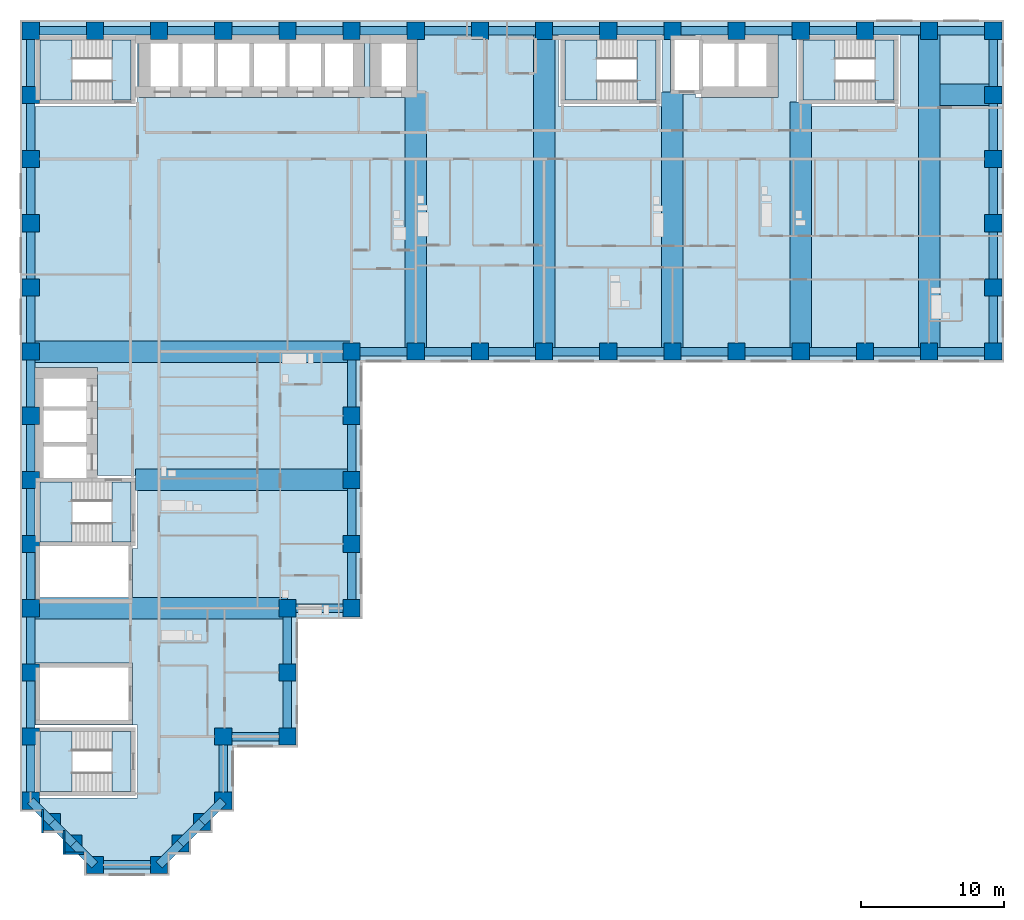
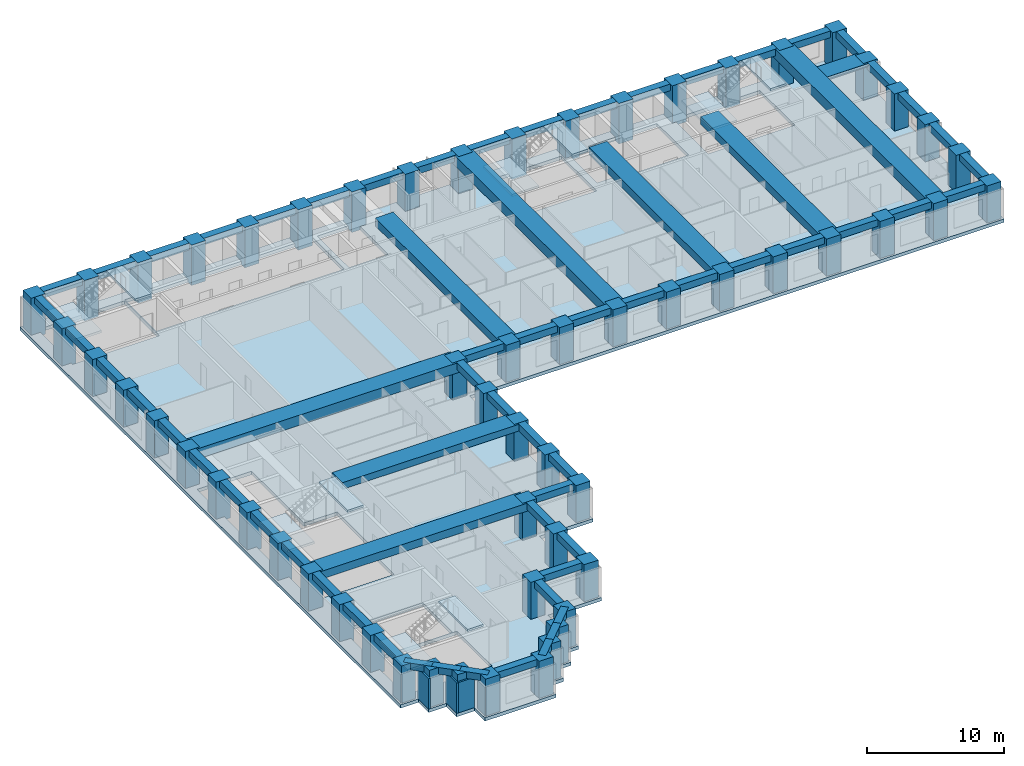
# One storey, part 1 of 12: 67 beams, 58 columns, 11 slabs, 3 walls, 5 elements without a shape of their own.
"""IFC4 building model written with IfcOpenShell, lengths in metres."""

from ifc_helpers import new_model, si_unit, direction, frame, frame_2d, origin, origin_2d, place, context, subcontext, project, spatial, polyline, rectangle, outline, extrude, material, layer, layer_set, material_profile, profile_set, type_object, element, aggregate, save


model = new_model("IFC4")

# Units and contexts
model_context = context("Model", 3, precision=1e-05, world=origin(), true_north=direction((0.0, 1.0)))
body_context = subcontext(model_context, "Body", "Model", "MODEL_VIEW")
ifc_project = project(units=[si_unit("LENGTHUNIT", "METRE"), si_unit("AREAUNIT", "SQUARE_METRE"), si_unit("VOLUMEUNIT", "CUBIC_METRE"), si_unit("PLANEANGLEUNIT", "RADIAN"), si_unit("MASSUNIT", "GRAM", prefix="KILO")], contexts=[model_context])

# Site, building, storey
site_placement = place(None, origin())
site = spatial("IfcSite", under=ifc_project, at=site_placement, CompositionType="ELEMENT")
building_placement = place(site_placement, origin())
building = spatial("IfcBuilding", under=site, at=building_placement, Name="Firuza Court", CompositionType="ELEMENT")
storey_placement = place(building_placement, frame((0.0, 0.0, 101.0)))
storey = spatial("IfcBuildingStorey", under=building, at=storey_placement, Name="L25", CompositionType="ELEMENT", Elevation=101.0)

# Columns
ifc_material_1 = material(Name="Concrete C70/85", Category="concrete")
ifc_material_profile_1 = material_profile(ifc_material_1, rectangle(XDim=1.199951171875, YDim=1.199951171875, at=origin_2d()), Name="RC 1200x1200")
ifc_profile_set_1 = profile_set([ifc_material_profile_1], Name="Concrete C70/85")
column_type = type_object("IfcColumnType", Name="Tube column RC 1200x1200 C70/85", PredefinedType="COLUMN", material=ifc_profile_set_1)
for number, where, z_axis, x_axis, name in (
    (1, (4.5, 0.0, -0.300048828125), (0.0, 0.0, 1.0), (1.0, 0.0, 0.0), "Column C-2D L25"),
    (2, (9.0, 0.0, -0.300048828125), (0.0, 0.0, 1.0), (1.0, 0.0, 0.0), "Column C-3D L25"),
    (3, (3.0, 1.5, -0.300048828125), (0.0, 0.0, 1.0), (1.0, 0.0, 0.0), "Column C-SA1 L25"),
    (4, (10.5, 1.5, -0.300048828125), (0.0, 0.0, 1.0), (1.0, 0.0, 0.0), "Column C-SA2 L25"),
    (5, (1.5, 3.0, -0.300048828125), (0.0, 0.0, 1.0), (1.0, 0.0, 0.0), "Column C-SA3 L25"),
    (6, (12.0, 3.0, -0.300048828125), (0.0, 0.0, 1.0), (1.0, 0.0, 0.0), "Column C-SA4 L25"),
    (7, (0.0, 4.5, -0.300048828125), (0.0, 0.0, 1.0), (1.0, 0.0, 0.0), "Column C-1E L25"),
    (8, (13.5, 4.5, -0.300048828125), (0.0, 0.0, 1.0), (1.0, 0.0, 0.0), "Column C-4E L25"),
    (9, (0.0, 9.0, -0.300048828125), (0.0, 0.0, 1.0), (1.0, 0.0, 0.0), "Column C-1F L25"),
    (10, (13.5, 9.0, -0.300048828125), (0.0, 0.0, 1.0), (1.0, 0.0, 0.0), "Column C-4F L25"),
    (11, (18.0, 9.0, -0.300048828125), (0.0, 0.0, 1.0), (1.0, 0.0, 0.0), "Column C-5F L25"),
    (12, (0.0, 13.5, -0.300048828125), (0.0, 0.0, 1.0), (1.0, 0.0, 0.0), "Column C-1G L25"),
    (13, (18.0, 13.5, -0.300048828125), (0.0, 0.0, 1.0), (1.0, 0.0, 0.0), "Column C-5G L25"),
    (14, (0.0, 18.0, -0.300048828125), (0.0, 0.0, 1.0), (1.0, 0.0, 0.0), "Column C-1H L25"),
    (15, (18.0, 18.0, -0.300048828125), (0.0, 0.0, 1.0), (1.0, 0.0, 0.0), "Column C-5H L25"),
    (16, (22.5, 18.0, -0.300048828125), (0.0, 0.0, 1.0), (1.0, 0.0, 0.0), "Column C-6H L25"),
    (17, (0.0, 22.5, -0.300048828125), (0.0, 0.0, 1.0), (1.0, 0.0, 0.0), "Column C-1J L25"),
    (18, (22.5, 22.5, -0.300048828125), (0.0, 0.0, 1.0), (1.0, 0.0, 0.0), "Column C-6J L25"),
    (19, (0.0, 27.0, -0.300048828125), (0.0, 0.0, 1.0), (1.0, 0.0, 0.0), "Column C-1K L25"),
    (20, (22.5, 27.0, -0.300048828125), (0.0, 0.0, 1.0), (1.0, 0.0, 0.0), "Column C-6K L25"),
    (21, (0.0, 31.5, -0.300048828125), (0.0, 0.0, 1.0), (1.0, 0.0, 0.0), "Column C-1L L25"),
    (22, (22.5, 31.5, -0.300048828125), (0.0, 0.0, 1.0), (1.0, 0.0, 0.0), "Column C-6L L25"),
    (23, (0.0, 36.0, -0.300048828125), (0.0, 0.0, 1.0), (1.0, 0.0, 0.0), "Column C-1M L25"),
    (24, (22.5, 36.0, -0.300048828125), (0.0, 0.0, 1.0), (1.0, 0.0, 0.0), "Column C-6M L25"),
    (25, (27.0, 36.0, -0.300048828125), (0.0, 0.0, 1.0), (1.0, 0.0, 0.0), "Column C-7M L25"),
    (26, (31.5, 36.0, -0.300048828125), (0.0, 0.0, 1.0), (1.0, 0.0, 0.0), "Column C-8M L25"),
    (27, (36.0, 36.0, -0.300048828125), (0.0, 0.0, 1.0), (1.0, 0.0, 0.0), "Column C-9M L25"),
    (28, (40.5, 36.0, -0.300048828125), (0.0, 0.0, 1.0), (1.0, 0.0, 0.0), "Column C-10M L25"),
    (29, (45.0, 36.0, -0.300048828125), (0.0, 0.0, 1.0), (1.0, 0.0, 0.0), "Column C-11M L25"),
    (30, (49.5, 36.0, -0.300048828125), (0.0, 0.0, 1.0), (1.0, 0.0, 0.0), "Column C-12M L25"),
    (31, (54.0, 36.0, -0.300048828125), (0.0, 0.0, 1.0), (1.0, 0.0, 0.0), "Column C-13M L25"),
    (32, (58.5, 36.0, -0.300048828125), (0.0, 0.0, 1.0), (1.0, 0.0, 0.0), "Column C-14M L25"),
    (33, (63.0, 36.0, -0.300048828125), (0.0, 0.0, 1.0), (1.0, 0.0, 0.0), "Column C-15M L25"),
    (34, (67.5, 36.0, -0.300048828125), (0.0, 0.0, 1.0), (1.0, 0.0, 0.0), "Column C-16M L25"),
    (35, (0.0, 40.5, -0.300048828125), (0.0, 0.0, 1.0), (1.0, 0.0, 0.0), "Column C-1N L25"),
    (36, (67.5, 40.5, -0.300048828125), (0.0, 0.0, 1.0), (1.0, 0.0, 0.0), "Column C-16N L25"),
    (37, (0.0, 45.0, -0.300048828125), (0.0, 0.0, 1.0), (1.0, 0.0, 0.0), "Column C-1P L25"),
    (38, (67.5, 45.0, -0.300048828125), (0.0, 0.0, 1.0), (1.0, 0.0, 0.0), "Column C-16P L25"),
    (39, (0.0, 49.5, -0.300048828125), (0.0, 0.0, 1.0), (1.0, 0.0, 0.0), "Column C-1Q L25"),
    (40, (67.5, 49.5, -0.300048828125), (0.0, 0.0, 1.0), (1.0, 0.0, 0.0), "Column C-16Q L25"),
    (41, (0.0, 54.0, -0.300048828125), (0.0, 0.0, 1.0), (1.0, 0.0, 0.0), "Column C-1R L25"),
    (42, (67.5, 54.0, -0.300048828125), (0.0, 0.0, 1.0), (1.0, 0.0, 0.0), "Column C-16R L25"),
    (43, (0.0, 58.5, -0.300048828125), (0.0, 0.0, 1.0), (1.0, 0.0, 0.0), "Column C-1S L25"),
    (44, (4.5, 58.5, -0.300048828125), (0.0, 0.0, 1.0), (1.0, 0.0, 0.0), "Column C-2S L25"),
    (45, (9.0, 58.5, -0.300048828125), (0.0, 0.0, 1.0), (1.0, 0.0, 0.0), "Column C-3S L25"),
    (46, (13.5, 58.5, -0.300048828125), (0.0, 0.0, 1.0), (1.0, 0.0, 0.0), "Column C-4S L25"),
    (47, (18.0, 58.5, -0.300048828125), (0.0, 0.0, 1.0), (1.0, 0.0, 0.0), "Column C-5S L25"),
    (48, (22.5, 58.5, -0.300048828125), (0.0, 0.0, 1.0), (1.0, 0.0, 0.0), "Column C-6S L25"),
    (49, (27.0, 58.5, -0.300048828125), (0.0, 0.0, 1.0), (1.0, 0.0, 0.0), "Column C-7S L25"),
    (50, (31.5, 58.5, -0.300048828125), (0.0, 0.0, 1.0), (1.0, 0.0, 0.0), "Column C-8S L25"),
    (51, (36.0, 58.5, -0.300048828125), (0.0, 0.0, 1.0), (1.0, 0.0, 0.0), "Column C-9S L25"),
    (52, (40.5, 58.5, -0.300048828125), (0.0, 0.0, 1.0), (1.0, 0.0, 0.0), "Column C-10S L25"),
    (53, (45.0, 58.5, -0.300048828125), (0.0, 0.0, 1.0), (1.0, 0.0, 0.0), "Column C-11S L25"),
    (54, (49.5, 58.5, -0.300048828125), (0.0, 0.0, 1.0), (1.0, 0.0, 0.0), "Column C-12S L25"),
    (55, (54.0, 58.5, -0.300048828125), (0.0, 0.0, 1.0), (1.0, 0.0, 0.0), "Column C-13S L25"),
    (56, (58.5, 58.5, -0.300048828125), (0.0, 0.0, 1.0), (1.0, 0.0, 0.0), "Column C-14S L25"),
    (57, (63.0, 58.5, -0.300048828125), (0.0, 0.0, 1.0), (1.0, 0.0, 0.0), "Column C-15S L25"),
    (58, (67.5, 58.5, -0.300048828125), (0.0, 0.0, 1.0), (1.0, 0.0, 0.0), "Column C-16S L25"),
):
    element("IfcColumn", number, at=place(storey_placement, frame(where, z_axis=z_axis, x_axis=x_axis)), inside=storey, type_object=column_type, Name=name, PredefinedType="COLUMN", context=body_context, shape_type="SweptSolid", body=[
        extrude(rectangle(XDim=1.199951171875, YDim=1.199951171875, at=origin_2d()), origin(), (0.0, 0.0, 1.0), 3.60009765625),
    ])

# Beams
ifc_material_2 = material(Name="Concrete C40/50", Category="concrete")
ifc_material_profile_2 = material_profile(ifc_material_2, rectangle(XDim=1.5, YDim=0.300048828125, at=origin_2d()), Name="RC 1500x300")
ifc_profile_set_2 = profile_set([ifc_material_profile_2], Name="Concrete C40/50")
beam_type_1 = type_object("IfcBeamType", Name="Band beam RC 1500x300 C40/50", PredefinedType="BEAM", material=ifc_profile_set_2)
beam_1_placement = place(storey_placement, frame((67.5, 54.0, 3.14990234375), z_axis=(-1.0, 0.0, 0.0), x_axis=(0.0, -1.0, 0.0)))
element("IfcBeam", 59, at=beam_1_placement, inside=storey, type_object=beam_type_1, Name="Band beam FB6 level L26", PredefinedType="BEAM", context=body_context, shape_type="SweptSolid", body=[
    extrude(rectangle(XDim=1.5, YDim=0.300048828125, at=origin_2d()), origin(), (0.0, 0.0, 1.0), 3.75),
])
ifc_material_3 = material(Name="Concrete C40/50", Category="concrete")
ifc_material_profile_3 = material_profile(ifc_material_3, rectangle(XDim=1.5, YDim=0.60009765625, at=origin_2d()), Name="RC 1500x600")
ifc_profile_set_3 = profile_set([ifc_material_profile_3], Name="Concrete C40/50")
beam_type_2 = type_object("IfcBeamType", Name="Band beam RC 1500x600 C40/50", PredefinedType="BEAM", material=ifc_profile_set_3)
beam_2_placement = place(storey_placement, frame((22.5, 27.0, 3.0), z_axis=(-1.0, 0.0, 0.0), x_axis=(0.0, -1.0, 0.0)))
element("IfcBeam", 60, at=beam_2_placement, inside=storey, type_object=beam_type_2, Name="Band beam FB3 level L26", PredefinedType="BEAM", context=body_context, shape_type="SweptSolid", body=[
    extrude(rectangle(XDim=1.5, YDim=0.60009765625, at=origin_2d()), origin(), (0.0, 0.0, 1.0), 15.14990234375),
])
ifc_material_4 = material(Name="Concrete C40/50", Category="concrete")
ifc_material_profile_4 = material_profile(ifc_material_4, rectangle(XDim=1.5, YDim=0.699951171875, at=origin_2d()), Name="RC 1500x700")
ifc_profile_set_4 = profile_set([ifc_material_profile_4], Name="Concrete C40/50")
beam_type_3 = type_object("IfcBeamType", Name="Band beam RC 1500x700 C40/50", PredefinedType="BEAM", material=ifc_profile_set_4)
beam_3_placement = place(storey_placement, frame((0.0, 18.0, 2.949951171875), z_axis=(1.0, 0.0, 0.0), x_axis=(0.0, 1.0, 0.0)))
element("IfcBeam", 61, at=beam_3_placement, inside=storey, type_object=beam_type_3, Name="Band beam FB1 level L26", PredefinedType="BEAM", context=body_context, shape_type="SweptSolid", body=[
    extrude(rectangle(XDim=1.5, YDim=0.699951171875, at=origin_2d()), origin(), (0.0, 0.0, 1.0), 18.0),
])
for number, where, z_axis, x_axis, name in (
    (62, (27.0, 36.0, 2.949951171875), (0.0, 1.0, 0.0), (-1.0, 0.0, 0.0), "Band beam FB1 level L26"),
    (63, (45.0, 36.0, 2.949951171875), (0.0, 1.0, 0.0), (-1.0, 0.0, 0.0), "Band beam FB1 level L26"),
):
    element("IfcBeam", number, at=place(storey_placement, frame(where, z_axis=z_axis, x_axis=x_axis)), inside=storey, type_object=beam_type_3, Name=name, PredefinedType="BEAM", context=body_context, shape_type="SweptSolid", body=[
        extrude(rectangle(XDim=1.5, YDim=0.699951171875, at=origin_2d()), origin(), (0.0, 0.0, 1.0), 18.199951171875),
    ])
beam_4_placement = place(storey_placement, frame((54.0, 36.0, 2.949951171875), z_axis=(0.0, 1.0, 0.0), x_axis=(-1.0, 0.0, 0.0)))
element("IfcBeam", 64, at=beam_4_placement, inside=storey, type_object=beam_type_3, Name="Band beam FB1 level L26", PredefinedType="BEAM", context=body_context, shape_type="SweptSolid", body=[
    extrude(rectangle(XDim=1.5, YDim=0.699951171875, at=origin_2d()), origin(), (0.0, 0.0, 1.0), 17.5),
])
ifc_material_5 = material(Name="Concrete C40/50", Category="concrete")
ifc_material_profile_5 = material_profile(ifc_material_5, rectangle(XDim=1.5, YDim=0.89990234375, at=origin_2d()), Name="RC 1500x900")
ifc_profile_set_5 = profile_set([ifc_material_profile_5], Name="Concrete C40/50")
beam_type_4 = type_object("IfcBeamType", Name="Band beam RC 1500x900 C40/50", PredefinedType="BEAM", material=ifc_profile_set_5)
for number, where, z_axis, x_axis, name in (
    (65, (0.0, 36.0, 2.85009765625), (1.0, 0.0, 0.0), (0.0, 1.0, 0.0), "Band beam FB2 level L26"),
    (66, (36.0, 36.0, 2.85009765625), (0.0, 1.0, 0.0), (-1.0, 0.0, 0.0), "Band beam FB2 level L26"),
    (67, (63.0, 36.0, 2.85009765625), (0.0, 1.0, 0.0), (-1.0, 0.0, 0.0), "Band beam FB2 level L26"),
):
    element("IfcBeam", number, at=place(storey_placement, frame(where, z_axis=z_axis, x_axis=x_axis)), inside=storey, type_object=beam_type_4, Name=name, PredefinedType="BEAM", context=body_context, shape_type="SweptSolid", body=[
        extrude(rectangle(XDim=1.5, YDim=0.89990234375, at=origin_2d()), origin(), (0.0, 0.0, 1.0), 22.5),
    ])
ifc_material_6 = material(Name="Concrete C40/50", Category="concrete")
ifc_material_profile_6 = material_profile(ifc_material_6, rectangle(XDim=0.60009765625, YDim=0.60009765625, at=origin_2d()), Name="RC 600x600")
ifc_profile_set_6 = profile_set([ifc_material_profile_6], Name="Concrete C40/50")
beam_type_5 = type_object("IfcBeamType", Name="Spandrel beam RC 600x600 C40/50", PredefinedType="BEAM", material=ifc_profile_set_6)
beam_5_placement = place(storey_placement, frame((0.0, 4.5, 3.0), z_axis=(0.707106781187, -0.707106781187, 0.0), x_axis=(0.707106781187, 0.707106781187, 0.0)))
element("IfcBeam", 68, at=beam_5_placement, inside=storey, type_object=beam_type_5, Name="Spandrel beam SP11 level L26", PredefinedType="BEAM", context=body_context, shape_type="SweptSolid", body=[
    extrude(rectangle(XDim=0.60009765625, YDim=0.60009765625, at=origin_2d()), origin(), (0.0, 0.0, 1.0), 2.121337890625),
])
for number, where, z_axis, x_axis, name in (
    (69, (0.0, 9.0, 3.0), (0.0, -1.0, 0.0), (1.0, 0.0, 0.0), "Spandrel beam SP11 level L26"),
    (70, (0.0, 13.5, 3.0), (0.0, -1.0, 0.0), (1.0, 0.0, 0.0), "Spandrel beam SP11 level L26"),
    (71, (0.0, 18.0, 3.0), (0.0, -1.0, 0.0), (1.0, 0.0, 0.0), "Spandrel beam SP11 level L26"),
    (72, (0.0, 22.5, 3.0), (0.0, -1.0, 0.0), (1.0, 0.0, 0.0), "Spandrel beam SP11 level L26"),
    (73, (0.0, 27.0, 3.0), (0.0, -1.0, 0.0), (1.0, 0.0, 0.0), "Spandrel beam SP11 level L26"),
    (74, (0.0, 31.5, 3.0), (0.0, -1.0, 0.0), (1.0, 0.0, 0.0), "Spandrel beam SP11 level L26"),
    (75, (0.0, 36.0, 3.0), (0.0, -1.0, 0.0), (1.0, 0.0, 0.0), "Spandrel beam SP11 level L26"),
    (76, (0.0, 40.5, 3.0), (0.0, -1.0, 0.0), (1.0, 0.0, 0.0), "Spandrel beam SP11 level L26"),
    (77, (0.0, 45.0, 3.0), (0.0, -1.0, 0.0), (1.0, 0.0, 0.0), "Spandrel beam SP11 level L26"),
    (78, (0.0, 49.5, 3.0), (0.0, -1.0, 0.0), (1.0, 0.0, 0.0), "Spandrel beam SP11 level L26"),
    (79, (0.0, 54.0, 3.0), (0.0, -1.0, 0.0), (1.0, 0.0, 0.0), "Spandrel beam SP11 level L26"),
    (80, (0.0, 58.5, 3.0), (0.0, -1.0, 0.0), (1.0, 0.0, 0.0), "Spandrel beam SP11 level L26"),
):
    element("IfcBeam", number, at=place(storey_placement, frame(where, z_axis=z_axis, x_axis=x_axis)), inside=storey, type_object=beam_type_5, Name=name, PredefinedType="BEAM", context=body_context, shape_type="SweptSolid", body=[
        extrude(rectangle(XDim=0.60009765625, YDim=0.60009765625, at=origin_2d()), origin(), (0.0, 0.0, 1.0), 4.5),
    ])
for number, where, z_axis, x_axis, name in (
    (81, (1.5, 3.0, 3.0), (0.707106781187, -0.707106781187, 0.0), (0.707106781187, 0.707106781187, 0.0), "Spandrel beam SP11 level L26"),
    (82, (3.0, 1.5, 3.0), (0.707106781187, -0.707106781187, 0.0), (0.707106781187, 0.707106781187, 0.0), "Spandrel beam SP11 level L26"),
):
    element("IfcBeam", number, at=place(storey_placement, frame(where, z_axis=z_axis, x_axis=x_axis)), inside=storey, type_object=beam_type_5, Name=name, PredefinedType="BEAM", context=body_context, shape_type="SweptSolid", body=[
        extrude(rectangle(XDim=0.60009765625, YDim=0.60009765625, at=origin_2d()), origin(), (0.0, 0.0, 1.0), 2.121337890625),
    ])
for number, where, z_axis, x_axis, name in (
    (83, (4.5, 0.0, 3.0), (1.0, 0.0, 0.0), (0.0, 1.0, 0.0), "Spandrel beam SP11 level L26"),
    (84, (4.5, 58.5, 3.0), (-1.0, 0.0, 0.0), (0.0, -1.0, 0.0), "Spandrel beam SP11 level L26"),
):
    element("IfcBeam", number, at=place(storey_placement, frame(where, z_axis=z_axis, x_axis=x_axis)), inside=storey, type_object=beam_type_5, Name=name, PredefinedType="BEAM", context=body_context, shape_type="SweptSolid", body=[
        extrude(rectangle(XDim=0.60009765625, YDim=0.60009765625, at=origin_2d()), origin(), (0.0, 0.0, 1.0), 4.5),
    ])
beam_6_placement = place(storey_placement, frame((9.0, 0.0, 3.0), z_axis=(0.707106781187, 0.707106781187, 0.0), x_axis=(-0.707106781187, 0.707106781187, 0.0)))
element("IfcBeam", 85, at=beam_6_placement, inside=storey, type_object=beam_type_5, Name="Spandrel beam SP11 level L26", PredefinedType="BEAM", context=body_context, shape_type="SweptSolid", body=[
    extrude(rectangle(XDim=0.60009765625, YDim=0.60009765625, at=origin_2d()), origin(), (0.0, 0.0, 1.0), 2.121337890625),
])
beam_7_placement = place(storey_placement, frame((9.0, 58.5, 3.0), z_axis=(-1.0, 0.0, 0.0), x_axis=(0.0, -1.0, 0.0)))
element("IfcBeam", 86, at=beam_7_placement, inside=storey, type_object=beam_type_5, Name="Spandrel beam SP11 level L26", PredefinedType="BEAM", context=body_context, shape_type="SweptSolid", body=[
    extrude(rectangle(XDim=0.60009765625, YDim=0.60009765625, at=origin_2d()), origin(), (0.0, 0.0, 1.0), 4.5),
])
for number, where, z_axis, x_axis, name in (
    (87, (10.5, 1.5, 3.0), (0.707106781187, 0.707106781187, 0.0), (-0.707106781187, 0.707106781187, 0.0), "Spandrel beam SP11 level L26"),
    (88, (12.0, 3.0, 3.0), (0.707106781187, 0.707106781187, 0.0), (-0.707106781187, 0.707106781187, 0.0), "Spandrel beam SP11 level L26"),
):
    element("IfcBeam", number, at=place(storey_placement, frame(where, z_axis=z_axis, x_axis=x_axis)), inside=storey, type_object=beam_type_5, Name=name, PredefinedType="BEAM", context=body_context, shape_type="SweptSolid", body=[
        extrude(rectangle(XDim=0.60009765625, YDim=0.60009765625, at=origin_2d()), origin(), (0.0, 0.0, 1.0), 2.121337890625),
    ])
for number, where, z_axis, x_axis, name in (
    (89, (13.5, 4.5, 3.0), (0.0, 1.0, 0.0), (-1.0, 0.0, 0.0), "Spandrel beam SP11 level L26"),
    (90, (13.5, 9.0, 3.0), (1.0, 0.0, 0.0), (0.0, 1.0, 0.0), "Spandrel beam SP11 level L26"),
    (91, (13.5, 58.5, 3.0), (-1.0, 0.0, 0.0), (0.0, -1.0, 0.0), "Spandrel beam SP11 level L26"),
    (92, (18.0, 9.0, 3.0), (0.0, 1.0, 0.0), (-1.0, 0.0, 0.0), "Spandrel beam SP11 level L26"),
    (93, (18.0, 13.5, 3.0), (0.0, 1.0, 0.0), (-1.0, 0.0, 0.0), "Spandrel beam SP11 level L26"),
    (94, (18.0, 18.0, 3.0), (1.0, 0.0, 0.0), (0.0, 1.0, 0.0), "Spandrel beam SP11 level L26"),
    (95, (18.0, 58.5, 3.0), (-1.0, 0.0, 0.0), (0.0, -1.0, 0.0), "Spandrel beam SP11 level L26"),
    (96, (22.5, 18.0, 3.0), (0.0, 1.0, 0.0), (-1.0, 0.0, 0.0), "Spandrel beam SP11 level L26"),
    (97, (22.5, 22.5, 3.0), (0.0, 1.0, 0.0), (-1.0, 0.0, 0.0), "Spandrel beam SP11 level L26"),
    (98, (22.5, 27.0, 3.0), (0.0, 1.0, 0.0), (-1.0, 0.0, 0.0), "Spandrel beam SP11 level L26"),
    (99, (22.5, 31.5, 3.0), (0.0, 1.0, 0.0), (-1.0, 0.0, 0.0), "Spandrel beam SP11 level L26"),
    (100, (22.5, 36.0, 3.0), (1.0, 0.0, 0.0), (0.0, 1.0, 0.0), "Spandrel beam SP11 level L26"),
    (101, (22.5, 58.5, 3.0), (-1.0, 0.0, 0.0), (0.0, -1.0, 0.0), "Spandrel beam SP11 level L26"),
    (102, (27.0, 36.0, 3.0), (1.0, 0.0, 0.0), (0.0, 1.0, 0.0), "Spandrel beam SP11 level L26"),
    (103, (27.0, 58.5, 3.0), (-1.0, 0.0, 0.0), (0.0, -1.0, 0.0), "Spandrel beam SP11 level L26"),
    (104, (31.5, 36.0, 3.0), (1.0, 0.0, 0.0), (0.0, 1.0, 0.0), "Spandrel beam SP11 level L26"),
    (105, (31.5, 58.5, 3.0), (-1.0, 0.0, 0.0), (0.0, -1.0, 0.0), "Spandrel beam SP11 level L26"),
    (106, (36.0, 36.0, 3.0), (1.0, 0.0, 0.0), (0.0, 1.0, 0.0), "Spandrel beam SP11 level L26"),
    (107, (36.0, 58.5, 3.0), (-1.0, 0.0, 0.0), (0.0, -1.0, 0.0), "Spandrel beam SP11 level L26"),
    (108, (40.5, 36.0, 3.0), (1.0, 0.0, 0.0), (0.0, 1.0, 0.0), "Spandrel beam SP11 level L26"),
    (109, (40.5, 58.5, 3.0), (-1.0, 0.0, 0.0), (0.0, -1.0, 0.0), "Spandrel beam SP11 level L26"),
    (110, (45.0, 36.0, 3.0), (1.0, 0.0, 0.0), (0.0, 1.0, 0.0), "Spandrel beam SP11 level L26"),
    (111, (45.0, 58.5, 3.0), (-1.0, 0.0, 0.0), (0.0, -1.0, 0.0), "Spandrel beam SP11 level L26"),
    (112, (49.5, 36.0, 3.0), (1.0, 0.0, 0.0), (0.0, 1.0, 0.0), "Spandrel beam SP11 level L26"),
    (113, (49.5, 58.5, 3.0), (-1.0, 0.0, 0.0), (0.0, -1.0, 0.0), "Spandrel beam SP11 level L26"),
    (114, (54.0, 36.0, 3.0), (1.0, 0.0, 0.0), (0.0, 1.0, 0.0), "Spandrel beam SP11 level L26"),
    (115, (54.0, 58.5, 3.0), (-1.0, 0.0, 0.0), (0.0, -1.0, 0.0), "Spandrel beam SP11 level L26"),
    (116, (58.5, 36.0, 3.0), (1.0, 0.0, 0.0), (0.0, 1.0, 0.0), "Spandrel beam SP11 level L26"),
    (117, (58.5, 58.5, 3.0), (-1.0, 0.0, 0.0), (0.0, -1.0, 0.0), "Spandrel beam SP11 level L26"),
    (118, (63.0, 36.0, 3.0), (1.0, 0.0, 0.0), (0.0, 1.0, 0.0), "Spandrel beam SP11 level L26"),
    (119, (63.0, 58.5, 3.0), (-1.0, 0.0, 0.0), (0.0, -1.0, 0.0), "Spandrel beam SP11 level L26"),
    (120, (67.5, 36.0, 3.0), (0.0, 1.0, 0.0), (-1.0, 0.0, 0.0), "Spandrel beam SP11 level L26"),
    (121, (67.5, 40.5, 3.0), (0.0, 1.0, 0.0), (-1.0, 0.0, 0.0), "Spandrel beam SP11 level L26"),
    (122, (67.5, 45.0, 3.0), (0.0, 1.0, 0.0), (-1.0, 0.0, 0.0), "Spandrel beam SP11 level L26"),
    (123, (67.5, 49.5, 3.0), (0.0, 1.0, 0.0), (-1.0, 0.0, 0.0), "Spandrel beam SP11 level L26"),
    (124, (67.5, 54.0, 3.0), (0.0, 1.0, 0.0), (-1.0, 0.0, 0.0), "Spandrel beam SP11 level L26"),
    (125, (67.5, 58.5, 3.0), (-1.0, 0.0, 0.0), (0.0, -1.0, 0.0), "Spandrel beam SP11 level L26"),
):
    element("IfcBeam", number, at=place(storey_placement, frame(where, z_axis=z_axis, x_axis=x_axis)), inside=storey, type_object=beam_type_5, Name=name, PredefinedType="BEAM", context=body_context, shape_type="SweptSolid", body=[
        extrude(rectangle(XDim=0.60009765625, YDim=0.60009765625, at=origin_2d()), origin(), (0.0, 0.0, 1.0), 4.5),
    ])

# Slab
ifc_material_7 = material(Name="Concrete C40/50", Category="concrete")
ifc_layer_1 = layer(ifc_material_7, 0.300048828125)
ifc_layer_set_1 = layer_set([ifc_layer_1], Name="Concrete C40/50")
slab_type_1 = type_object("IfcSlabType", Name="Floor slab 300 C40/50", PredefinedType="FLOOR", material=ifc_layer_set_1)
slab_1_placement = place(storey_placement, frame((0.0, 0.0, -0.300048828125)))
element("IfcSlab", 126, at=slab_1_placement, inside=storey, type_object=slab_type_1, Name="Floor slab L25", PredefinedType="FLOOR", context=body_context, shape_type="SweptSolid", body=[
    extrude(outline(polyline([(3.75, -0.75), (3.75, 0.75), (2.25, 0.75), (2.25, 2.25), (0.75, 2.25), (0.75, 3.75), (-0.75, 3.75), (-0.75, 59.25), (68.25, 59.25), (68.25, 35.25), (23.25, 35.25), (23.25, 17.25), (18.75, 17.25), (18.75, 8.25), (14.25, 8.25), (14.25, 3.75), (12.75, 3.75), (12.75, 2.25), (11.25, 2.25), (11.25, 0.75), (9.75, 0.75), (9.75, -0.75), (3.75, -0.75)]), holes=[polyline([(7.5, 9.800048828125), (0.199951171875, 9.800048828125), (0.199951171875, 4.699951171875), (7.5, 4.699951171875), (7.5, 9.800048828125)]), polyline([(7.14990234375, 14.14990234375), (0.35009765625, 14.14990234375), (0.35009765625, 9.85009765625), (7.14990234375, 9.85009765625), (7.14990234375, 14.14990234375)]), polyline([(0.199951171875, 22.199951171875), (0.35009765625, 22.199951171875), (0.35009765625, 18.35009765625), (7.14990234375, 18.35009765625), (7.14990234375, 22.199951171875), (7.5, 22.199951171875), (7.5, 27.300048828125), (4.699951171875, 27.300048828125), (4.699951171875, 29.10009765625), (4.699951171875, 29.89990234375), (4.699951171875, 31.60009765625), (4.699951171875, 32.39990234375), (4.699951171875, 34.89990234375), (0.10009765625, 34.89990234375), (0.10009765625, 32.39990234375), (0.10009765625, 31.60009765625), (0.10009765625, 29.89990234375), (0.10009765625, 29.10009765625), (0.10009765625, 26.60009765625), (0.199951171875, 26.60009765625), (0.199951171875, 22.199951171875)]), polyline([(7.5, 58.300048828125), (0.199951171875, 58.300048828125), (0.199951171875, 53.199951171875), (7.5, 53.199951171875), (7.5, 58.300048828125)]), polyline([(10.10009765625, 58.39990234375), (7.60009765625, 58.39990234375), (7.60009765625, 53.800048828125), (10.10009765625, 53.800048828125), (10.89990234375, 53.800048828125), (12.60009765625, 53.800048828125), (13.39990234375, 53.800048828125), (15.10009765625, 53.800048828125), (15.89990234375, 53.800048828125), (17.60009765625, 53.800048828125), (18.39990234375, 53.800048828125), (20.10009765625, 53.800048828125), (20.89990234375, 53.800048828125), (23.39990234375, 53.800048828125), (23.39990234375, 58.39990234375), (20.89990234375, 58.39990234375), (20.10009765625, 58.39990234375), (18.39990234375, 58.39990234375), (17.60009765625, 58.39990234375), (15.89990234375, 58.39990234375), (15.10009765625, 58.39990234375), (13.39990234375, 58.39990234375), (12.60009765625, 58.39990234375), (10.89990234375, 58.39990234375), (10.10009765625, 58.39990234375)]), polyline([(44.300048828125, 58.300048828125), (37.0, 58.300048828125), (37.0, 53.199951171875), (44.300048828125, 53.199951171875), (44.300048828125, 58.300048828125)]), polyline([(61.0, 58.300048828125), (53.699951171875, 58.300048828125), (53.699951171875, 53.199951171875), (61.0, 53.199951171875), (61.0, 58.300048828125)]), polyline([(27.10009765625, 58.39990234375), (23.800048828125, 58.39990234375), (23.800048828125, 53.800048828125), (27.10009765625, 53.800048828125), (27.10009765625, 58.39990234375)]), polyline([(46.60009765625, 58.14990234375), (44.85009765625, 58.14990234375), (44.85009765625, 54.050048828125), (46.60009765625, 54.050048828125), (46.60009765625, 53.800048828125), (49.10009765625, 53.800048828125), (49.89990234375, 53.800048828125), (52.39990234375, 53.800048828125), (52.39990234375, 58.39990234375), (49.89990234375, 58.39990234375), (49.10009765625, 58.39990234375), (46.60009765625, 58.39990234375), (46.60009765625, 58.14990234375)])]), origin(), (0.0, 0.0, 1.0), 0.300048828125),
])

# Stair, slabs
ifc_material_8 = material(Name="Concrete C40/50 precast", Category="concrete")
stair_type = type_object("IfcStairType", Name="Stair 1350 x 3600 2 flights", PredefinedType="HALF_TURN_STAIR", material=ifc_material_8)
stair_1_placement = place(storey_placement, origin())
stair_1 = element("IfcStair", 127, at=stair_1_placement, inside=storey, type_object=stair_type, Name="Stair 1 L25", PredefinedType="HALF_TURN_STAIR")
ifc_material_9 = material(Name="Concrete C40/50 precast", Category="concrete")
ifc_layer_2 = layer(ifc_material_9, 0.199951171875)
ifc_layer_set_2 = layer_set([ifc_layer_2], Name="Concrete C40/50 precast")
slab_type_2 = type_object("IfcSlabType", Name="Stair landing 200", PredefinedType="LANDING", material=ifc_layer_set_2)
slab_2_placement = place(storey_placement, frame((0.0, 0.0, 1.60009765625)))
slab_2 = element("IfcSlab", 128, at=slab_2_placement, type_object=slab_type_2, Name="S1 landing 1", PredefinedType="LANDING", context=body_context, shape_type="SweptSolid", body=[
    extrude(outline(polyline([(39.699951171875, 53.64990234375), (39.699951171875, 57.85009765625), (37.449951171875, 57.85009765625), (37.449951171875, 53.64990234375), (39.699951171875, 53.64990234375)])), origin(), (0.0, 0.0, 1.0), 0.199951171875),
])
slab_3_placement = place(storey_placement, frame((0.0, 0.0, 3.39990234375)))
slab_3 = element("IfcSlab", 129, at=slab_3_placement, type_object=slab_type_2, Name="S1 landing 2", PredefinedType="LANDING", context=body_context, shape_type="SweptSolid", body=[
    extrude(outline(polyline([(43.85009765625, 53.64990234375), (43.85009765625, 57.85009765625), (42.5, 57.85009765625), (42.5, 53.64990234375), (43.85009765625, 53.64990234375)])), origin(), (0.0, 0.0, 1.0), 0.2001953125),
])
aggregate(stair_1, [slab_2, slab_3])

stair_2_placement = place(storey_placement, origin())
stair_2 = element("IfcStair", 130, at=stair_2_placement, inside=storey, type_object=stair_type, Name="Stair 2 L25", PredefinedType="HALF_TURN_STAIR")
slab_4_placement = place(storey_placement, frame((0.0, 0.0, 1.60009765625)))
slab_4 = element("IfcSlab", 131, at=slab_4_placement, type_object=slab_type_2, Name="S2 landing 1", PredefinedType="LANDING", context=body_context, shape_type="SweptSolid", body=[
    extrude(outline(polyline([(2.89990234375, 22.64990234375), (2.89990234375, 26.85009765625), (0.64990234375, 26.85009765625), (0.64990234375, 22.64990234375), (2.89990234375, 22.64990234375)])), origin(), (0.0, 0.0, 1.0), 0.199951171875),
])
slab_5_placement = place(storey_placement, frame((0.0, 0.0, 3.39990234375)))
slab_5 = element("IfcSlab", 132, at=slab_5_placement, type_object=slab_type_2, Name="S2 landing 2", PredefinedType="LANDING", context=body_context, shape_type="SweptSolid", body=[
    extrude(outline(polyline([(7.050048828125, 22.64990234375), (7.050048828125, 26.85009765625), (5.699951171875, 26.85009765625), (5.699951171875, 22.64990234375), (7.050048828125, 22.64990234375)])), origin(), (0.0, 0.0, 1.0), 0.2001953125),
])
aggregate(stair_2, [slab_4, slab_5])

stair_3_placement = place(storey_placement, origin())
stair_3 = element("IfcStair", 133, at=stair_3_placement, inside=storey, type_object=stair_type, Name="Stair 3 L25", PredefinedType="HALF_TURN_STAIR")
slab_6_placement = place(storey_placement, frame((0.0, 0.0, 1.60009765625)))
slab_6 = element("IfcSlab", 134, at=slab_6_placement, type_object=slab_type_2, Name="S3 landing 1", PredefinedType="LANDING", context=body_context, shape_type="SweptSolid", body=[
    extrude(outline(polyline([(2.89990234375, 53.64990234375), (2.89990234375, 57.85009765625), (0.64990234375, 57.85009765625), (0.64990234375, 53.64990234375), (2.89990234375, 53.64990234375)])), origin(), (0.0, 0.0, 1.0), 0.199951171875),
])
slab_7_placement = place(storey_placement, frame((0.0, 0.0, 3.39990234375)))
slab_7 = element("IfcSlab", 135, at=slab_7_placement, type_object=slab_type_2, Name="S3 landing 2", PredefinedType="LANDING", context=body_context, shape_type="SweptSolid", body=[
    extrude(outline(polyline([(7.050048828125, 53.64990234375), (7.050048828125, 57.85009765625), (5.699951171875, 57.85009765625), (5.699951171875, 53.64990234375), (7.050048828125, 53.64990234375)])), origin(), (0.0, 0.0, 1.0), 0.2001953125),
])
aggregate(stair_3, [slab_6, slab_7])

stair_4_placement = place(storey_placement, origin())
stair_4 = element("IfcStair", 136, at=stair_4_placement, inside=storey, type_object=stair_type, Name="Stair 4 L25", PredefinedType="HALF_TURN_STAIR")
slab_8_placement = place(storey_placement, frame((0.0, 0.0, 1.60009765625)))
slab_8 = element("IfcSlab", 137, at=slab_8_placement, type_object=slab_type_2, Name="S4 landing 1", PredefinedType="LANDING", context=body_context, shape_type="SweptSolid", body=[
    extrude(outline(polyline([(56.39990234375, 53.64990234375), (56.39990234375, 57.85009765625), (54.14990234375, 57.85009765625), (54.14990234375, 53.64990234375), (56.39990234375, 53.64990234375)])), origin(), (0.0, 0.0, 1.0), 0.199951171875),
])
slab_9_placement = place(storey_placement, frame((0.0, 0.0, 3.39990234375)))
slab_9 = element("IfcSlab", 138, at=slab_9_placement, type_object=slab_type_2, Name="S4 landing 2", PredefinedType="LANDING", context=body_context, shape_type="SweptSolid", body=[
    extrude(outline(polyline([(60.550048828125, 53.64990234375), (60.550048828125, 57.85009765625), (59.199951171875, 57.85009765625), (59.199951171875, 53.64990234375), (60.550048828125, 53.64990234375)])), origin(), (0.0, 0.0, 1.0), 0.2001953125),
])
aggregate(stair_4, [slab_8, slab_9])

stair_5_placement = place(storey_placement, origin())
stair_5 = element("IfcStair", 139, at=stair_5_placement, inside=storey, type_object=stair_type, Name="Stair 5 L25", PredefinedType="HALF_TURN_STAIR")
slab_10_placement = place(storey_placement, frame((0.0, 0.0, 1.60009765625)))
slab_10 = element("IfcSlab", 140, at=slab_10_placement, type_object=slab_type_2, Name="S5 landing 1", PredefinedType="LANDING", context=body_context, shape_type="SweptSolid", body=[
    extrude(outline(polyline([(2.89990234375, 5.14990234375), (2.89990234375, 9.35009765625), (0.64990234375, 9.35009765625), (0.64990234375, 5.14990234375), (2.89990234375, 5.14990234375)])), origin(), (0.0, 0.0, 1.0), 0.199951171875),
])
slab_11_placement = place(storey_placement, frame((0.0, 0.0, 3.39990234375)))
slab_11 = element("IfcSlab", 141, at=slab_11_placement, type_object=slab_type_2, Name="S5 landing 2", PredefinedType="LANDING", context=body_context, shape_type="SweptSolid", body=[
    extrude(outline(polyline([(7.050048828125, 5.14990234375), (7.050048828125, 9.35009765625), (5.699951171875, 9.35009765625), (5.699951171875, 5.14990234375), (7.050048828125, 5.14990234375)])), origin(), (0.0, 0.0, 1.0), 0.2001953125),
])
aggregate(stair_5, [slab_10, slab_11])

# Walls
ifc_material_10 = material(Name="Ceramic tile", Category="ceramic")
ifc_layer_3 = layer(ifc_material_10, 0.02001953125)
ifc_material_11 = material(Name="Mineral wool insulation", Category="insulation")
ifc_layer_4 = layer(ifc_material_11, 0.050048828125)
ifc_layer_5 = layer(ifc_material_9, 0.080078125)
ifc_layer_set_3 = layer_set([ifc_layer_3, ifc_layer_4, ifc_layer_5], Name="Concrete C40/50 precast")
wall_type = type_object("IfcWallType", Name="Precast cladding wall with turquoise TILE PANEL face 150", PredefinedType="STANDARD", material=ifc_layer_set_3)
for number, where, z_axis, x_axis, name in (
    (142, (0.824951171875, 3.89990234375, 0.0), (0.0, 0.0, 1.0), (0.0, -1.0, 0.0), "Facade wall L25 W"),
    (143, (2.324951171875, 2.39990234375, 0.0), (0.0, 0.0, 1.0), (0.0, -1.0, 0.0), "Facade wall L25 W"),
):
    element("IfcWall", number, at=place(storey_placement, frame(where, z_axis=z_axis, x_axis=x_axis)), inside=storey, type_object=wall_type, Name=name, PredefinedType="STANDARD", context=body_context, shape_type="SweptSolid", body=[
        extrude(rectangle(XDim=1.64990234375, YDim=0.14990234375, at=frame_2d((0.824951171875, 0.0))), origin(), (0.0, 0.0, 1.0), 2.699951171875),
    ])
wall_placement = place(storey_placement, frame((2.39990234375, 0.824951171875, 0.0), z_axis=(0.0, 0.0, 1.0), x_axis=(1.0, 0.0, 0.0)))
element("IfcWall", 144, at=wall_placement, inside=storey, type_object=wall_type, Name="Facade wall L25 S", PredefinedType="STANDARD", context=body_context, shape_type="SweptSolid", body=[
    extrude(rectangle(XDim=1.35009765625, YDim=0.14990234375, at=frame_2d((0.675048828125, 0.0))), origin(), (0.0, 0.0, 1.0), 2.699951171875),
])

save(model, "model.ifc")
